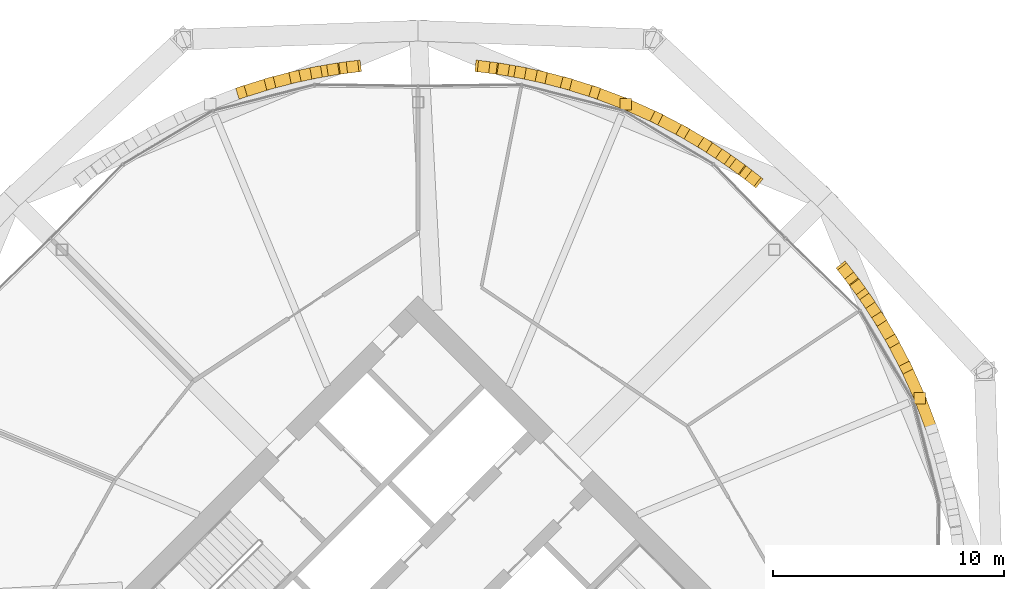
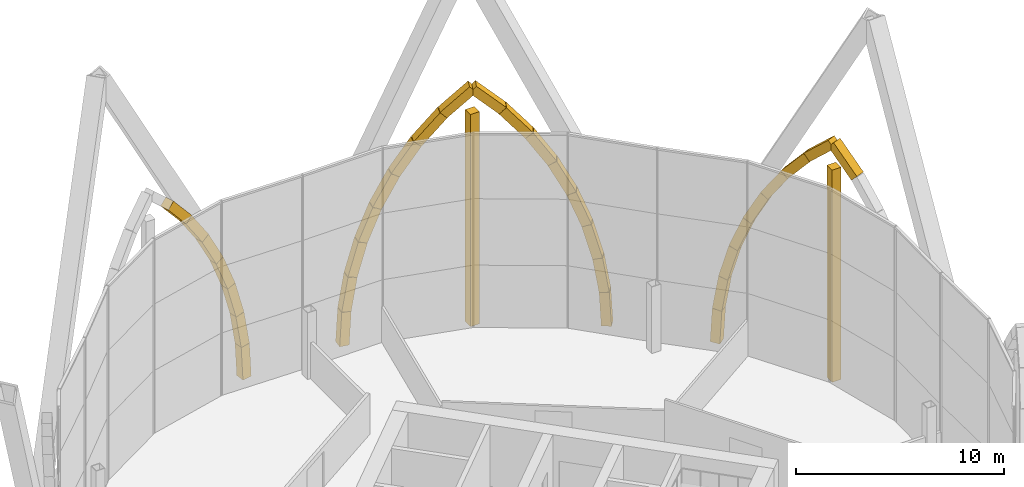
# One storey, part 37 of 37: 34 coverings.
"""IFC4 building model written with IfcOpenShell, lengths in metres."""

from ifc_helpers import new_model, si_unit, direction, frame, origin, origin_2d, place, context, subcontext, project, spatial, rectangle, extrude, material, material_profile, profile_set, type_object, element, save


model = new_model("IFC4")

# Units and contexts
model_context = context("Model", 3, precision=1e-05, world=origin(), true_north=direction((0.0, 1.0)))
body_context = subcontext(model_context, "Body", "Model", "MODEL_VIEW")
ifc_project = project(units=[si_unit("LENGTHUNIT", "METRE"), si_unit("AREAUNIT", "SQUARE_METRE"), si_unit("VOLUMEUNIT", "CUBIC_METRE"), si_unit("PLANEANGLEUNIT", "RADIAN"), si_unit("MASSUNIT", "GRAM", prefix="KILO")], contexts=[model_context])

# Site, building, storey
site_placement = place(None, origin())
site = spatial("IfcSite", under=ifc_project, at=site_placement, CompositionType="ELEMENT")
building_placement = place(site_placement, origin())
building = spatial("IfcBuilding", under=site, at=building_placement, Name="Ogive Gate Towers", CompositionType="ELEMENT")
storey_placement = place(building_placement, frame((0.0, 0.0, 32.39990234375)))
storey = spatial("IfcBuildingStorey", under=building, at=storey_placement, Name="L06", CompositionType="ELEMENT", Elevation=32.39990234375)

# Coverings
ifc_material = material(Name="Cast stone", Category="masonry")
ifc_material_profile = material_profile(ifc_material, rectangle(XDim=0.5, YDim=0.5, at=origin_2d()), Name="500 x 500 cast stone")
ifc_profile_set = profile_set([ifc_material_profile], Name="Cast stone")
covering_type = type_object("IfcCoveringType", Name="Portal rib 500 x 500", PredefinedType="CLADDING", material=ifc_profile_set)
covering_1_placement = place(storey_placement, frame((54.4501953125, 14.588623046875, 0.0), z_axis=(0.033885142799, -0.043036604722, 0.99849869692), x_axis=(0.785691181758, 0.61861891897, 0.0)))
element("IfcCovering", 1, at=covering_1_placement, inside=storey, type_object=covering_type, Name="Portal rib", PredefinedType="CLADDING", context=body_context, shape_type="SweptSolid", body=[
    extrude(rectangle(XDim=0.5, YDim=0.5, at=origin_2d()), origin(), (0.0, 0.0, 1.0), 1.97412109375),
])
covering_2_placement = place(storey_placement, frame((54.51708984375, 14.503662109375, 1.97119140625), z_axis=(0.100193268805, -0.129756467872, 0.98647076385), x_axis=(0.791500671237, 0.611168297142, 0.0)))
element("IfcCovering", 2, at=covering_2_placement, inside=storey, type_object=covering_type, Name="Portal rib", PredefinedType="CLADDING", context=body_context, shape_type="SweptSolid", body=[
    extrude(rectangle(XDim=0.5, YDim=0.5, at=origin_2d()), origin(), (0.0, 0.0, 1.0), 1.9736328125),
])
covering_3_placement = place(storey_placement, frame((54.71484375, 14.24755859375, 3.918212890625), z_axis=(0.161513795362, -0.217289233117, 0.962651901301), x_axis=(0.802568885219, 0.596559455946, 0.0)))
element("IfcCovering", 3, at=covering_3_placement, inside=storey, type_object=covering_type, Name="Portal rib", PredefinedType="CLADDING", context=body_context, shape_type="SweptSolid", body=[
    extrude(rectangle(XDim=0.5, YDim=0.5, at=origin_2d()), origin(), (0.0, 0.0, 1.0), 1.97412109375),
])
for number, where, z_axis, x_axis, name in (
    (4, (55.03369140625, 13.818603515625, 5.818603515625), (0.215338175498, -0.306618803595, 0.927153913574), (0.818346956736, 0.574724506526, 0.0), "Portal rib"),
    (5, (55.458740234375, 13.21337890625, 7.648681640625), (0.258391967915, -0.397297750571, 0.880561234843), (0.838300478539, 0.545208499274, 0.0), "Portal rib"),
    (6, (55.96875, 12.42919921875, 9.38671875), (0.288299116588, -0.488661436996, 0.82346440079), (0.861277843819, 0.508134308768, 0.0), "Portal rib"),
):
    element("IfcCovering", number, at=place(storey_placement, frame(where, z_axis=z_axis, x_axis=x_axis)), inside=storey, type_object=covering_type, Name=name, PredefinedType="CLADDING", context=body_context, shape_type="SweptSolid", body=[
        extrude(rectangle(XDim=0.5, YDim=0.5, at=origin_2d()), origin(), (0.0, 0.0, 1.0), 1.973876953125),
    ])
covering_4_placement = place(storey_placement, frame((56.537841796875, 11.464599609375, 11.01220703125), z_axis=(0.303066839852, -0.57978541975, 0.75630639137), x_axis=(0.886227208209, 0.463250834246, 0.0)))
element("IfcCovering", 7, at=covering_4_placement, inside=storey, type_object=covering_type, Name="Portal rib", PredefinedType="CLADDING", context=body_context, shape_type="SweptSolid", body=[
    extrude(rectangle(XDim=0.5, YDim=0.5, at=origin_2d()), origin(), (0.0, 0.0, 1.0), 1.9736328125),
])
for number, where, z_axis, x_axis, name in (
    (8, (57.135986328125, 10.3203125, 12.5048828125), (0.301302663091, -0.668283369737, 0.680157366312), (0.911627667131, 0.411017027046, 0.0), "Portal rib"),
    (9, (58.242919921875, 7.64794921875, 12.5048828125), (-0.259496403368, 0.685599887448, 0.680157636853), (-0.935250027607, -0.353987832928, 0.0), "Portal rib"),
):
    element("IfcCovering", number, at=place(storey_placement, frame(where, z_axis=z_axis, x_axis=x_axis)), inside=storey, type_object=covering_type, Name=name, PredefinedType="CLADDING", context=body_context, shape_type="SweptSolid", body=[
        extrude(rectangle(XDim=0.5, YDim=0.5, at=origin_2d()), origin(), (0.0, 0.0, 1.0), 1.973876953125),
    ])
covering_5_placement = place(storey_placement, frame((57.730712890625, 9.001220703125, 0.0), z_axis=(0.0, 0.0, 1.0), x_axis=(1.0, 0.0, 0.0)))
element("IfcCovering", 10, at=covering_5_placement, inside=storey, type_object=covering_type, Name="Portal mullion", PredefinedType="CLADDING", context=body_context, shape_type="SweptSolid", body=[
    extrude(rectangle(XDim=0.5, YDim=0.5, at=origin_2d()), origin(), (0.0, 0.0, 1.0), 12.447509765625),
])
covering_6_placement = place(storey_placement, frame((38.73046875, 23.362060546875, 0.0), z_axis=(0.054414002638, -0.006554413954, 0.998496948405), x_axis=(0.11959008577, 0.992823353566, 0.0)))
element("IfcCovering", 11, at=covering_6_placement, inside=storey, type_object=covering_type, Name="Portal rib", PredefinedType="CLADDING", context=body_context, shape_type="SweptSolid", body=[
    extrude(rectangle(XDim=0.5, YDim=0.5, at=origin_2d()), origin(), (0.0, 0.0, 1.0), 1.97412109375),
])
covering_7_placement = place(storey_placement, frame((38.837890625, 23.34912109375, 1.97119140625), z_axis=(0.162537837441, -0.020781093371, 0.98648345022), x_axis=(0.126821531659, 0.991925551192, 0.0)))
element("IfcCovering", 12, at=covering_7_placement, inside=storey, type_object=covering_type, Name="Portal rib", PredefinedType="CLADDING", context=body_context, shape_type="SweptSolid", body=[
    extrude(rectangle(XDim=0.5, YDim=0.5, at=origin_2d()), origin(), (0.0, 0.0, 1.0), 1.9736328125),
])
covering_8_placement = place(storey_placement, frame((39.15869140625, 23.30810546875, 3.918212890625), z_axis=(0.267982692392, -0.039572894123, 0.962610649551), x_axis=(0.146085387666, 0.989271984598, 0.0)))
element("IfcCovering", 13, at=covering_8_placement, inside=storey, type_object=covering_type, Name="Portal rib", PredefinedType="CLADDING", context=body_context, shape_type="SweptSolid", body=[
    extrude(rectangle(XDim=0.5, YDim=0.5, at=origin_2d()), origin(), (0.0, 0.0, 1.0), 1.97412109375),
])
for number, where, z_axis, x_axis, name in (
    (14, (39.687744140625, 23.22998046875, 5.818603515625), (0.368975963491, -0.064444008374, 0.927202085929), (0.172051890584, 0.98508788793, 0.0), "Portal rib"),
    (15, (40.416015625, 23.102783203125, 7.648681640625), (0.463703977422, -0.09820777756, 0.880530438855), (0.2071939477, 0.978299886557, 0.0), "Portal rib"),
    (16, (41.331298828125, 22.908935546875, 9.38671875), (0.549385518361, -0.141737011266, 0.823459878714), (0.249812090934, 0.968294335016, 0.0), "Portal rib"),
):
    element("IfcCovering", number, at=place(storey_placement, frame(where, z_axis=z_axis, x_axis=x_axis)), inside=storey, type_object=covering_type, Name=name, PredefinedType="CLADDING", context=body_context, shape_type="SweptSolid", body=[
        extrude(rectangle(XDim=0.5, YDim=0.5, at=origin_2d()), origin(), (0.0, 0.0, 1.0), 1.973876953125),
    ])
covering_9_placement = place(storey_placement, frame((42.415771484375, 22.629150390625, 11.01220703125), z_axis=(0.624296368375, -0.19568790465, 0.756280561966), x_axis=(0.299103814474, 0.954220576265, 0.0)))
element("IfcCovering", 17, at=covering_9_placement, inside=storey, type_object=covering_type, Name="Portal rib", PredefinedType="CLADDING", context=body_context, shape_type="SweptSolid", body=[
    extrude(rectangle(XDim=0.5, YDim=0.5, at=origin_2d()), origin(), (0.0, 0.0, 1.0), 1.9736328125),
])
covering_10_placement = place(storey_placement, frame((43.64794921875, 22.242919921875, 12.5048828125), z_axis=(0.685599887448, -0.259496403368, 0.680157636853), x_axis=(0.353987832928, 0.935250027607, 0.0)))
element("IfcCovering", 18, at=covering_10_placement, inside=storey, type_object=covering_type, Name="Portal rib", PredefinedType="CLADDING", context=body_context, shape_type="SweptSolid", body=[
    extrude(rectangle(XDim=0.5, YDim=0.5, at=origin_2d()), origin(), (0.0, 0.0, 1.0), 1.973876953125),
])
covering_11_placement = place(storey_placement, frame((50.588623046875, 18.4501953125, 0.0), z_axis=(-0.043036604722, 0.033885142799, 0.99849869692), x_axis=(-0.61861891897, -0.785691181758, 0.0)))
element("IfcCovering", 19, at=covering_11_placement, inside=storey, type_object=covering_type, Name="Portal rib", PredefinedType="CLADDING", context=body_context, shape_type="SweptSolid", body=[
    extrude(rectangle(XDim=0.5, YDim=0.5, at=origin_2d()), origin(), (0.0, 0.0, 1.0), 1.97412109375),
])
covering_12_placement = place(storey_placement, frame((50.503662109375, 18.51708984375, 1.97119140625), z_axis=(-0.129756467872, 0.100193268805, 0.98647076385), x_axis=(-0.611168297142, -0.791500671237, 0.0)))
element("IfcCovering", 20, at=covering_12_placement, inside=storey, type_object=covering_type, Name="Portal rib", PredefinedType="CLADDING", context=body_context, shape_type="SweptSolid", body=[
    extrude(rectangle(XDim=0.5, YDim=0.5, at=origin_2d()), origin(), (0.0, 0.0, 1.0), 1.9736328125),
])
covering_13_placement = place(storey_placement, frame((50.24755859375, 18.71484375, 3.918212890625), z_axis=(-0.217289233117, 0.161513795362, 0.962651901301), x_axis=(-0.596559455946, -0.802568885219, 0.0)))
element("IfcCovering", 21, at=covering_13_placement, inside=storey, type_object=covering_type, Name="Portal rib", PredefinedType="CLADDING", context=body_context, shape_type="SweptSolid", body=[
    extrude(rectangle(XDim=0.5, YDim=0.5, at=origin_2d()), origin(), (0.0, 0.0, 1.0), 1.97412109375),
])
for number, where, z_axis, x_axis, name in (
    (22, (49.818603515625, 19.03369140625, 5.818603515625), (-0.306618803595, 0.215338175498, 0.927153913574), (-0.574724506526, -0.818346956736, 0.0), "Portal rib"),
    (23, (49.21337890625, 19.458740234375, 7.648681640625), (-0.397297750571, 0.258391967915, 0.880561234843), (-0.545208499274, -0.838300478539, 0.0), "Portal rib"),
    (24, (48.42919921875, 19.96875, 9.38671875), (-0.488661436996, 0.288299116588, 0.82346440079), (-0.508134308768, -0.861277843819, 0.0), "Portal rib"),
):
    element("IfcCovering", number, at=place(storey_placement, frame(where, z_axis=z_axis, x_axis=x_axis)), inside=storey, type_object=covering_type, Name=name, PredefinedType="CLADDING", context=body_context, shape_type="SweptSolid", body=[
        extrude(rectangle(XDim=0.5, YDim=0.5, at=origin_2d()), origin(), (0.0, 0.0, 1.0), 1.973876953125),
    ])
covering_14_placement = place(storey_placement, frame((47.464599609375, 20.537841796875, 11.01220703125), z_axis=(-0.57978541975, 0.303066839852, 0.75630639137), x_axis=(-0.463250834246, -0.886227208209, 0.0)))
element("IfcCovering", 25, at=covering_14_placement, inside=storey, type_object=covering_type, Name="Portal rib", PredefinedType="CLADDING", context=body_context, shape_type="SweptSolid", body=[
    extrude(rectangle(XDim=0.5, YDim=0.5, at=origin_2d()), origin(), (0.0, 0.0, 1.0), 1.9736328125),
])
covering_15_placement = place(storey_placement, frame((46.3203125, 21.135986328125, 12.5048828125), z_axis=(-0.668283369737, 0.301302663091, 0.680157366312), x_axis=(-0.411017027046, -0.911627667131, 0.0)))
element("IfcCovering", 26, at=covering_15_placement, inside=storey, type_object=covering_type, Name="Portal rib", PredefinedType="CLADDING", context=body_context, shape_type="SweptSolid", body=[
    extrude(rectangle(XDim=0.5, YDim=0.5, at=origin_2d()), origin(), (0.0, 0.0, 1.0), 1.973876953125),
])
covering_16_placement = place(storey_placement, frame((45.001220703125, 21.730712890625, 0.0), z_axis=(0.0, 0.0, 1.0), x_axis=(1.0, 0.0, 0.0)))
element("IfcCovering", 27, at=covering_16_placement, inside=storey, type_object=covering_type, Name="Portal mullion", PredefinedType="CLADDING", context=body_context, shape_type="SweptSolid", body=[
    extrude(rectangle(XDim=0.5, YDim=0.5, at=origin_2d()), origin(), (0.0, 0.0, 1.0), 12.447509765625),
])
covering_17_placement = place(storey_placement, frame((33.26953125, 23.362060546875, 0.0), z_axis=(-0.054414002638, -0.006554413954, 0.998496948405), x_axis=(0.11959008577, -0.992823353566, 0.0)))
element("IfcCovering", 28, at=covering_17_placement, inside=storey, type_object=covering_type, Name="Portal rib", PredefinedType="CLADDING", context=body_context, shape_type="SweptSolid", body=[
    extrude(rectangle(XDim=0.5, YDim=0.5, at=origin_2d()), origin(), (0.0, 0.0, 1.0), 1.97412109375),
])
covering_18_placement = place(storey_placement, frame((33.162109375, 23.34912109375, 1.97119140625), z_axis=(-0.162537837441, -0.020781093371, 0.98648345022), x_axis=(0.126821531659, -0.991925551192, 0.0)))
element("IfcCovering", 29, at=covering_18_placement, inside=storey, type_object=covering_type, Name="Portal rib", PredefinedType="CLADDING", context=body_context, shape_type="SweptSolid", body=[
    extrude(rectangle(XDim=0.5, YDim=0.5, at=origin_2d()), origin(), (0.0, 0.0, 1.0), 1.9736328125),
])
covering_19_placement = place(storey_placement, frame((32.84130859375, 23.30810546875, 3.918212890625), z_axis=(-0.267982692392, -0.039572894123, 0.962610649551), x_axis=(0.146085387666, -0.989271984598, 0.0)))
element("IfcCovering", 30, at=covering_19_placement, inside=storey, type_object=covering_type, Name="Portal rib", PredefinedType="CLADDING", context=body_context, shape_type="SweptSolid", body=[
    extrude(rectangle(XDim=0.5, YDim=0.5, at=origin_2d()), origin(), (0.0, 0.0, 1.0), 1.97412109375),
])
for number, where, z_axis, x_axis, name in (
    (31, (32.312255859375, 23.22998046875, 5.818603515625), (-0.368975963491, -0.064444008374, 0.927202085929), (0.172051890584, -0.98508788793, 0.0), "Portal rib"),
    (32, (31.583984375, 23.102783203125, 7.648681640625), (-0.463703977422, -0.09820777756, 0.880530438855), (0.2071939477, -0.978299886557, 0.0), "Portal rib"),
    (33, (30.668701171875, 22.908935546875, 9.38671875), (-0.549385518361, -0.141737011266, 0.823459878714), (0.249812090934, -0.968294335016, 0.0), "Portal rib"),
):
    element("IfcCovering", number, at=place(storey_placement, frame(where, z_axis=z_axis, x_axis=x_axis)), inside=storey, type_object=covering_type, Name=name, PredefinedType="CLADDING", context=body_context, shape_type="SweptSolid", body=[
        extrude(rectangle(XDim=0.5, YDim=0.5, at=origin_2d()), origin(), (0.0, 0.0, 1.0), 1.973876953125),
    ])
covering_20_placement = place(storey_placement, frame((29.584228515625, 22.629150390625, 11.01220703125), z_axis=(-0.624296368375, -0.19568790465, 0.756280561966), x_axis=(0.299103814474, -0.954220576265, 0.0)))
element("IfcCovering", 34, at=covering_20_placement, inside=storey, type_object=covering_type, Name="Portal rib", PredefinedType="CLADDING", context=body_context, shape_type="SweptSolid", body=[
    extrude(rectangle(XDim=0.5, YDim=0.5, at=origin_2d()), origin(), (0.0, 0.0, 1.0), 1.9736328125),
])

save(model, "model.ifc")
